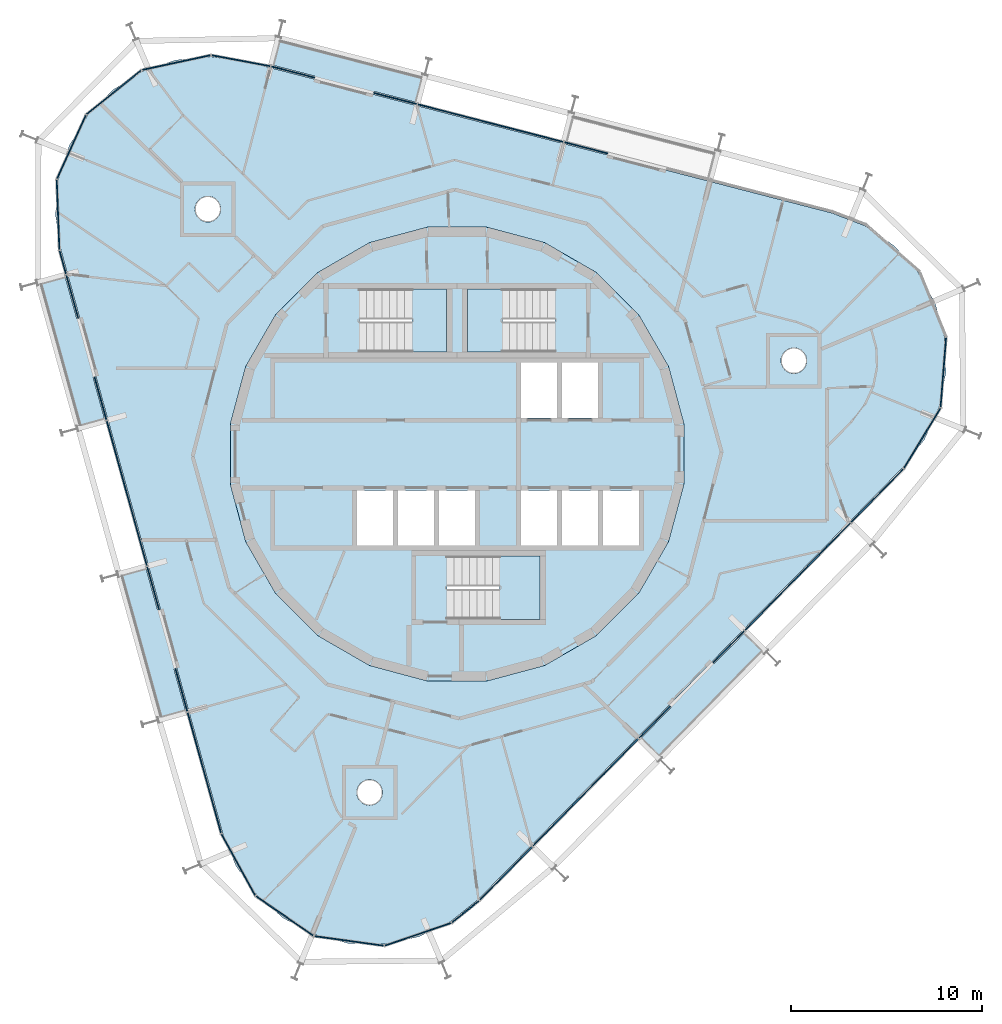
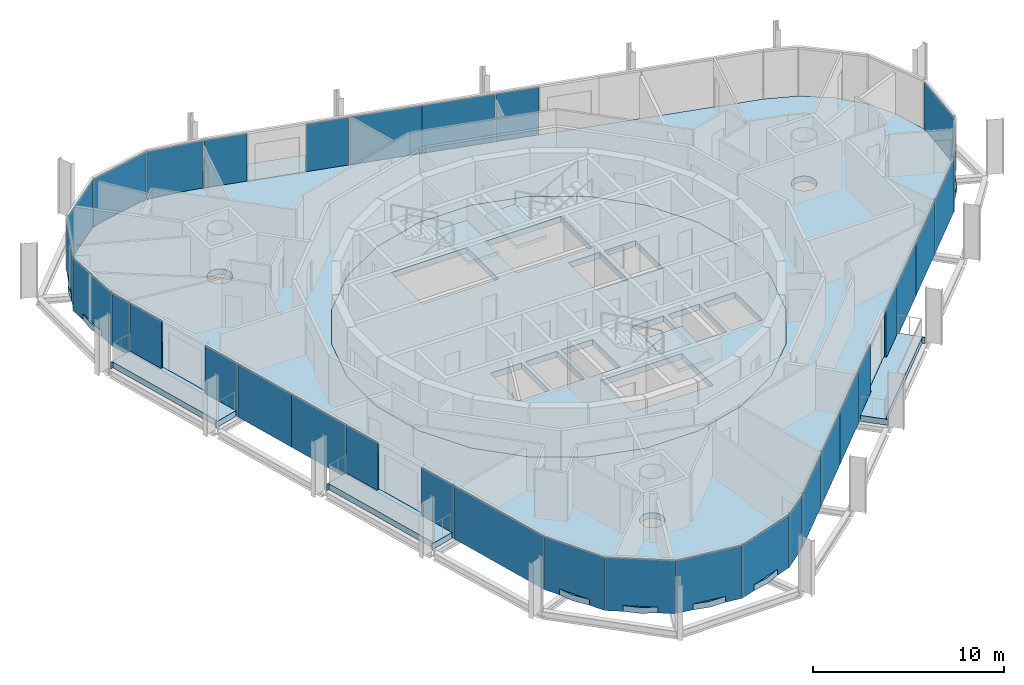
# One storey, part 8 of 15: 33 plates, 9 slabs, 9 elements without a shape of their own.
"""IFC4 building model written with IfcOpenShell, lengths in metres."""

from ifc_helpers import new_model, si_unit, direction, frame, origin, origin_2d, place, context, subcontext, project, spatial, polyline, rectangle, outline, extrude, material, layer, layer_set, type_object, element, aggregate, save


model = new_model("IFC4")

# Units and contexts
model_context = context("Model", 3, precision=1e-05, world=origin(), true_north=direction((0.0, 1.0)))
body_context = subcontext(model_context, "Body", "Model", "MODEL_VIEW")
ifc_project = project(units=[si_unit("LENGTHUNIT", "METRE"), si_unit("AREAUNIT", "SQUARE_METRE"), si_unit("VOLUMEUNIT", "CUBIC_METRE"), si_unit("PLANEANGLEUNIT", "RADIAN"), si_unit("MASSUNIT", "GRAM", prefix="KILO")], contexts=[model_context])

# Site, building, storey
site_placement = place(None, origin())
site = spatial("IfcSite", under=ifc_project, at=site_placement, CompositionType="ELEMENT")
building_placement = place(site_placement, origin())
building = spatial("IfcBuilding", under=site, at=building_placement, Name="Spindle Arch Residences", CompositionType="ELEMENT")
storey_placement = place(building_placement, frame((0.0, 0.0, 308.699951171875)))
storey = spatial("IfcBuildingStorey", under=building, at=storey_placement, Name="L79", CompositionType="ELEMENT", Elevation=308.699951171875)

# Slabs
ifc_material_1 = material(Name="Concrete C40/50", Category="concrete")
ifc_layer_1 = layer(ifc_material_1, 0.3798828125)
ifc_layer_set_1 = layer_set([ifc_layer_1], Name="Balcony slab 380")
slab_type_1 = type_object("IfcSlabType", Name="Balcony slab 380", PredefinedType="FLOOR", material=ifc_layer_set_1)
slab_1_placement = place(storey_placement, frame((0.0, 0.0, -0.3798828125)))
element("IfcSlab", 1, at=slab_1_placement, inside=storey, type_object=slab_type_1, Name="Balcony L79 bay 8", PredefinedType="FLOOR", context=body_context, shape_type="SweptSolid", body=[
    extrude(outline(polyline([(-1.763671875, 19.8896484375), (-1.83642578125, 19.908447265625), (-1.8740234375, 19.763427734375), (-9.265869140625, 21.675048828125), (-9.228271484375, 21.8203125), (-9.30078125, 21.839111328125), (-9.673828125, 20.396484375), (-7.454345703125, 19.822509765625), (-7.494384765625, 19.66748046875), (-4.396484375, 18.8662109375), (-4.3564453125, 19.021240234375), (-2.13671875, 18.447265625), (-1.763671875, 19.8896484375)])), origin(), (0.0, 0.0, 1.0), 0.3798828125),
])
slab_2_placement = place(storey_placement, frame((0.0, 0.0, -0.3798828125)))
element("IfcSlab", 2, at=slab_2_placement, inside=storey, type_object=slab_type_1, Name="Balcony L79 bay 12", PredefinedType="FLOOR", context=body_context, shape_type="SweptSolid", body=[
    extrude(outline(polyline([(-21.998046875, 8.918212890625), (-21.97802734375, 8.845947265625), (-21.83349609375, 8.88623046875), (-19.79296875, 1.52880859375), (-19.9375, 1.488525390625), (-19.91748046875, 1.416259765625), (-18.481689453125, 1.814453125), (-19.094482421875, 4.023681640625), (-18.940185546875, 4.06640625), (-19.79541015625, 7.150146484375), (-19.949462890625, 7.107421875), (-20.562255859375, 9.31640625), (-21.998046875, 8.918212890625)])), origin(), (0.0, 0.0, 1.0), 0.3798828125),
])
slab_3_placement = place(storey_placement, frame((0.0, 0.0, -0.3798828125)))
element("IfcSlab", 3, at=slab_3_placement, inside=storey, type_object=slab_type_1, Name="Balcony L79 bay 14", PredefinedType="FLOOR", context=body_context, shape_type="SweptSolid", body=[
    extrude(outline(polyline([(-17.7568359375, -6.374755859375), (-17.73681640625, -6.447021484375), (-17.59228515625, -6.406982421875), (-15.552001953125, -13.76416015625), (-15.696533203125, -13.804443359375), (-15.676513671875, -13.876708984375), (-14.240478515625, -13.478515625), (-14.853271484375, -11.269287109375), (-14.698974609375, -11.2265625), (-15.55419921875, -8.142822265625), (-15.70849609375, -8.185546875), (-16.321044921875, -5.9765625), (-17.7568359375, -6.374755859375)])), origin(), (0.0, 0.0, 1.0), 0.3798828125),
])
slab_4_placement = place(storey_placement, frame((0.0, 0.0, -0.3798828125)))
element("IfcSlab", 4, at=slab_4_placement, inside=storey, type_object=slab_type_1, Name="Balcony L79 bay 20", PredefinedType="FLOOR", context=body_context, shape_type="SweptSolid", body=[
    extrude(outline(polyline([(10.691162109375, -15.963623046875), (10.743896484375, -15.91015625), (10.63671875, -15.80517578125), (15.98828125, -10.359375), (16.09521484375, -10.464599609375), (16.14794921875, -10.410888671875), (15.085205078125, -9.36669921875), (13.478271484375, -11.001708984375), (13.364013671875, -10.8896484375), (11.121337890625, -13.172119140625), (11.2353515625, -13.2841796875), (9.62841796875, -14.91943359375), (10.691162109375, -15.963623046875)])), origin(), (0.0, 0.0, 1.0), 0.3798828125),
])
ifc_material_2 = material(Name="Concrete C50/60", Category="concrete")
ifc_layer_2 = layer(ifc_material_2, 0.3798828125)
ifc_layer_set_2 = layer_set([ifc_layer_2], Name="Core floor slab 380")
slab_type_2 = type_object("IfcSlabType", Name="Core floor slab 380", PredefinedType="FLOOR", material=ifc_layer_set_2)
slab_5_placement = place(storey_placement, frame((0.0, 0.0, -0.3798828125)))
element("IfcSlab", 5, at=slab_5_placement, inside=storey, type_object=slab_type_2, Name="Core floor L79", PredefinedType="FLOOR", context=body_context, shape_type="SweptSolid", body=[
    extrude(outline(polyline([(1.56640625, -11.897216796875), (4.59228515625, -11.086669921875), (7.30517578125, -9.520263671875), (9.520263671875, -7.30517578125), (11.086669921875, -4.59228515625), (11.897216796875, -1.56640625), (11.897216796875, 1.56640625), (11.086669921875, 4.59228515625), (9.520263671875, 7.30517578125), (7.30517578125, 9.520263671875), (4.59228515625, 11.086669921875), (1.56640625, 11.897216796875), (-1.56640625, 11.897216796875), (-4.59228515625, 11.086669921875), (-7.30517578125, 9.520263671875), (-9.520263671875, 7.30517578125), (-11.086669921875, 4.59228515625), (-11.897216796875, 1.56640625), (-11.897216796875, -1.56640625), (-11.086669921875, -4.59228515625), (-9.520263671875, -7.30517578125), (-7.30517578125, -9.520263671875), (-4.59228515625, -11.086669921875), (-1.56640625, -11.897216796875), (1.56640625, -11.897216796875)]), holes=[polyline([(3.35009765625, 1.89990234375), (5.25, 1.89990234375), (5.25, 4.800048828125), (3.35009765625, 4.800048828125), (3.35009765625, 1.89990234375)]), polyline([(5.5, 1.89990234375), (7.39990234375, 1.89990234375), (7.39990234375, 4.800048828125), (5.5, 4.800048828125), (5.5, 1.89990234375)]), polyline([(-5.25, -4.800048828125), (-3.35009765625, -4.800048828125), (-3.35009765625, -1.89990234375), (-5.25, -1.89990234375), (-5.25, -4.800048828125)]), polyline([(-3.10009765625, -4.800048828125), (-1.199951171875, -4.800048828125), (-1.199951171875, -1.89990234375), (-3.10009765625, -1.89990234375), (-3.10009765625, -4.800048828125)]), polyline([(-0.949951171875, -4.800048828125), (0.949951171875, -4.800048828125), (0.949951171875, -1.89990234375), (-0.949951171875, -1.89990234375), (-0.949951171875, -4.800048828125)]), polyline([(3.35009765625, -4.800048828125), (5.25, -4.800048828125), (5.25, -1.89990234375), (3.35009765625, -1.89990234375), (3.35009765625, -4.800048828125)]), polyline([(5.5, -4.800048828125), (7.39990234375, -4.800048828125), (7.39990234375, -1.89990234375), (5.5, -1.89990234375), (5.5, -4.800048828125)]), polyline([(7.64990234375, -4.800048828125), (9.550048828125, -4.800048828125), (9.550048828125, -1.89990234375), (7.64990234375, -1.89990234375), (7.64990234375, -4.800048828125)]), polyline([(5.1298828125, 8.669921875), (0.550048828125, 8.669921875), (0.550048828125, 5.35009765625), (5.1298828125, 5.35009765625), (5.1298828125, 8.669921875)]), polyline([(-5.1298828125, 5.35009765625), (-0.550048828125, 5.35009765625), (-0.550048828125, 8.669921875), (-5.1298828125, 8.669921875), (-5.1298828125, 5.35009765625)]), polyline([(-0.530029296875, -8.669921875), (4.35009765625, -8.669921875), (4.35009765625, -5.35009765625), (-0.530029296875, -5.35009765625), (-0.530029296875, -8.669921875)])]), origin(), (0.0, 0.0, 1.0), 0.3798828125),
])

# Stair, slab
ifc_material_3 = material(Name="Concrete C50/60", Category="concrete")
stair_type = type_object("IfcStairType", Name="Exit stair 16 risers", PredefinedType="HALF_TURN_STAIR", material=ifc_material_3)
stair_1_placement = place(storey_placement, origin())
stair_1 = element("IfcStair", 6, at=stair_1_placement, inside=storey, type_object=stair_type, Name="L79 Exit stair ST1", PredefinedType="HALF_TURN_STAIR")
ifc_material_4 = material(Name="Concrete C50/60", Category="concrete")
ifc_layer_3 = layer(ifc_material_4, 0.219970703125)
ifc_layer_set_3 = layer_set([ifc_layer_3], Name="Exit stair landing 220")
slab_type_3 = type_object("IfcSlabType", Name="Exit stair landing 220", PredefinedType="LANDING", material=ifc_layer_set_3)
slab_6_placement = place(storey_placement, frame((0.0, 0.0, 1.530029296875)))
slab_6 = element("IfcSlab", 7, at=slab_6_placement, type_object=slab_type_3, Name="ST1 landing 1", PredefinedType="LANDING", context=body_context, shape_type="SweptSolid", body=[
    extrude(outline(polyline([(2.3701171875, 8.669921875), (0.550048828125, 8.669921875), (0.550048828125, 5.35009765625), (2.3701171875, 5.35009765625), (2.3701171875, 8.669921875)])), origin(), (0.0, 0.0, 1.0), 0.219970703125),
])
aggregate(stair_1, [slab_6])

stair_2_placement = place(storey_placement, origin())
stair_2 = element("IfcStair", 8, at=stair_2_placement, inside=storey, type_object=stair_type, Name="L79 Exit stair ST2", PredefinedType="HALF_TURN_STAIR")
slab_7_placement = place(storey_placement, frame((0.0, 0.0, 1.530029296875)))
slab_7 = element("IfcSlab", 9, at=slab_7_placement, type_object=slab_type_3, Name="ST2 landing 1", PredefinedType="LANDING", context=body_context, shape_type="SweptSolid", body=[
    extrude(outline(polyline([(-2.3701171875, 5.35009765625), (-0.550048828125, 5.35009765625), (-0.550048828125, 8.669921875), (-2.3701171875, 8.669921875), (-2.3701171875, 5.35009765625)])), origin(), (0.0, 0.0, 1.0), 0.219970703125),
])
aggregate(stair_2, [slab_7])

stair_3_placement = place(storey_placement, origin())
stair_3 = element("IfcStair", 10, at=stair_3_placement, inside=storey, type_object=stair_type, Name="L79 Exit stair ST3", PredefinedType="HALF_TURN_STAIR")
slab_8_placement = place(storey_placement, frame((0.0, 0.0, 1.530029296875)))
slab_8 = element("IfcSlab", 11, at=slab_8_placement, type_object=slab_type_3, Name="ST3 landing 1", PredefinedType="LANDING", context=body_context, shape_type="SweptSolid", body=[
    extrude(outline(polyline([(2.22998046875, -8.669921875), (4.35009765625, -8.669921875), (4.35009765625, -5.35009765625), (2.22998046875, -5.35009765625), (2.22998046875, -8.669921875)])), origin(), (0.0, 0.0, 1.0), 0.219970703125),
])
aggregate(stair_3, [slab_8])

# Slab
ifc_material_5 = material(Name="Concrete C40/50", Category="concrete")
ifc_layer_4 = layer(ifc_material_5, 0.3798828125)
ifc_layer_set_4 = layer_set([ifc_layer_4], Name="Floor slab 380")
slab_type_4 = type_object("IfcSlabType", Name="Floor slab 380", PredefinedType="FLOOR", material=ifc_layer_set_4)
slab_9_placement = place(storey_placement, frame((0.0, 0.0, -0.3798828125)))
element("IfcSlab", 12, at=slab_9_placement, inside=storey, type_object=slab_type_4, Name="Floor slab L79", PredefinedType="FLOOR", context=body_context, shape_type="SweptSolid", body=[
    extrude(outline(polyline([(-0.330078125, -24.517333984375), (-2.006591796875, -25.317138671875), (-3.822509765625, -25.70849609375), (-5.6796875, -25.6708984375), (-7.477783203125, -25.205810546875), (-9.12060546875, -24.33837890625), (-10.518798828125, -23.11572265625), (-11.597412109375, -21.603515625), (-12.29833984375, -19.88330078125), (-20.782470703125, 10.709228515625), (-21.067626953125, 12.544677734375), (-20.921875, 14.396484375), (-20.35302734375, 16.164794921875), (-19.3916015625, 17.754150390625), (-18.08984375, 19.078857421875), (-16.517333984375, 20.06787109375), (-14.759521484375, 20.66748046875), (-12.910400390625, 20.845458984375), (-11.0703125, 20.59228515625), (19.665771484375, 12.6435546875), (21.397705078125, 11.972900390625), (22.9287109375, 10.920654296875), (24.175537109375, 9.5439453125), (25.0712890625, 7.916748046875), (25.567626953125, 6.126708984375), (25.637939453125, 4.2705078125), (25.2783203125, 2.4482421875), (24.5078125, 0.758056640625), (23.36865234375, -0.708984375), (12.24267578125, -12.03076171875), (1.11669921875, -23.352783203125), (-0.330078125, -24.517333984375)]), holes=[polyline([(7.30517578125, -9.520263671875), (9.520263671875, -7.30517578125), (11.086669921875, -4.59228515625), (11.897216796875, -1.56640625), (11.897216796875, 1.56640625), (11.086669921875, 4.59228515625), (9.520263671875, 7.30517578125), (7.30517578125, 9.520263671875), (4.59228515625, 11.086669921875), (1.56640625, 11.897216796875), (-1.56640625, 11.897216796875), (-4.59228515625, 11.086669921875), (-7.30517578125, 9.520263671875), (-9.520263671875, 7.30517578125), (-11.086669921875, 4.59228515625), (-11.897216796875, 1.56640625), (-11.897216796875, -1.56640625), (-11.086669921875, -4.59228515625), (-9.520263671875, -7.30517578125), (-7.30517578125, -9.520263671875), (-4.59228515625, -11.086669921875), (-1.56640625, -11.897216796875), (1.56640625, -11.897216796875), (4.59228515625, -11.086669921875), (7.30517578125, -9.520263671875)]), polyline([(-4.028076171875, -18.120361328125), (-3.9658203125, -18.003662109375), (-3.92724609375, -17.877197265625), (-3.914306640625, -17.745361328125), (-3.92724609375, -17.61376953125), (-3.9658203125, -17.487060546875), (-4.028076171875, -17.370361328125), (-4.112060546875, -17.26806640625), (-4.21435546875, -17.18408203125), (-4.3310546875, -17.121826171875), (-4.45751953125, -17.08349609375), (-4.58935546875, -17.0703125), (-4.720947265625, -17.08349609375), (-4.84765625, -17.121826171875), (-4.96435546875, -17.18408203125), (-5.066650390625, -17.26806640625), (-5.150390625, -17.370361328125), (-5.212890625, -17.487060546875), (-5.251220703125, -17.61376953125), (-5.264404296875, -17.745361328125), (-5.251220703125, -17.877197265625), (-5.212890625, -18.003662109375), (-5.150390625, -18.120361328125), (-5.066650390625, -18.22265625), (-4.96435546875, -18.306640625), (-4.84765625, -18.368896484375), (-4.720947265625, -18.407470703125), (-4.58935546875, -18.42041015625), (-4.45751953125, -18.407470703125), (-4.3310546875, -18.368896484375), (-4.21435546875, -18.306640625), (-4.112060546875, -18.22265625), (-4.028076171875, -18.120361328125)]), polyline([(-12.595947265625, 12.369873046875), (-12.51220703125, 12.47216796875), (-12.44970703125, 12.5888671875), (-12.411376953125, 12.71533203125), (-12.398193359375, 12.84716796875), (-12.411376953125, 12.978759765625), (-12.44970703125, 13.10546875), (-12.51220703125, 13.22216796875), (-12.595947265625, 13.324462890625), (-12.6982421875, 13.408203125), (-12.81494140625, 13.470703125), (-12.941650390625, 13.509033203125), (-13.0732421875, 13.522216796875), (-13.205078125, 13.509033203125), (-13.33154296875, 13.470703125), (-13.4482421875, 13.408203125), (-13.550537109375, 13.324462890625), (-13.634521484375, 13.22216796875), (-13.697021484375, 13.10546875), (-13.7353515625, 12.978759765625), (-13.748291015625, 12.84716796875), (-13.7353515625, 12.71533203125), (-13.697021484375, 12.5888671875), (-13.634521484375, 12.47216796875), (-13.550537109375, 12.369873046875), (-13.4482421875, 12.285888671875), (-13.33154296875, 12.223388671875), (-13.205078125, 12.18505859375), (-13.0732421875, 12.172119140625), (-12.941650390625, 12.18505859375), (-12.81494140625, 12.223388671875), (-12.6982421875, 12.285888671875), (-12.595947265625, 12.369873046875)]), polyline([(18.139892578125, 4.4208984375), (18.223876953125, 4.523193359375), (18.2861328125, 4.639892578125), (18.32470703125, 4.7666015625), (18.337646484375, 4.898193359375), (18.32470703125, 5.030029296875), (18.2861328125, 5.156494140625), (18.223876953125, 5.273193359375), (18.139892578125, 5.37548828125), (18.03759765625, 5.45947265625), (17.9208984375, 5.52197265625), (17.794189453125, 5.560302734375), (17.66259765625, 5.5732421875), (17.531005859375, 5.560302734375), (17.404296875, 5.52197265625), (17.28759765625, 5.45947265625), (17.185302734375, 5.37548828125), (17.101318359375, 5.273193359375), (17.0390625, 5.156494140625), (17.00048828125, 5.030029296875), (16.987548828125, 4.898193359375), (17.00048828125, 4.7666015625), (17.0390625, 4.639892578125), (17.101318359375, 4.523193359375), (17.185302734375, 4.4208984375), (17.28759765625, 4.337158203125), (17.404296875, 4.274658203125), (17.531005859375, 4.236328125), (17.66259765625, 4.223388671875), (17.794189453125, 4.236328125), (17.9208984375, 4.274658203125), (18.03759765625, 4.337158203125), (18.139892578125, 4.4208984375)])]), origin(), (0.0, 0.0, 1.0), 0.3798828125),
])

# Curtain wall, plates
ifc_material_6 = material(Name="Aluminium bronze unitised frame with tinted glass", Category="aluminium")
ifc_layer_5 = layer(ifc_material_6, 0.159912109375)
ifc_layer_set_5 = layer_set([ifc_layer_5], Name="CW-D corner wall on the fillet arcs")
curtain_wall_type_1 = type_object("IfcCurtainWallType", Name="CW-D corner wall on the fillet arcs", PredefinedType="NOTDEFINED", material=ifc_layer_set_5)
curtain_wall_1_placement = place(storey_placement, origin())
curtain_wall_1 = element("IfcCurtainWall", 13, at=curtain_wall_1_placement, inside=storey, type_object=curtain_wall_type_1, Name="CW-D L79 run 1", PredefinedType="NOTDEFINED")
ifc_material_7 = material(Name="Tinted double glazing over aluminium faced non-combustible spandrel zone (K0)", Category="aluminium")
ifc_layer_6 = layer(ifc_material_7, 0.06005859375)
ifc_layer_set_6 = layer_set([ifc_layer_6], Name="Unitised glass panel with E 60 spandrel zone")
plate_type = type_object("IfcPlateType", Name="Unitised glass panel with E 60 spandrel zone", PredefinedType="CURTAIN_PANEL", material=ifc_layer_set_6)
plate_1_placement = place(storey_placement, frame((22.033935546875, -2.18115234375, -0.3798828125), z_axis=(0.0, 0.0, 1.0), x_axis=(0.7009092643, 0.713250449154, 0.0)))
plate_1 = element("IfcPlate", 14, at=plate_1_placement, type_object=plate_type, Name="CW-D unit 00", PredefinedType="CURTAIN_PANEL", context=body_context, shape_type="SweptSolid", body=[
    extrude(rectangle(XDim=3.910888671875, YDim=0.06005859375, at=origin_2d()), origin(), (0.0, 0.0, 1.0), 3.3798828125),
])
plate_2_placement = place(storey_placement, frame((24.39013671875, 0.829345703125, -0.3798828125), z_axis=(0.0, 0.0, 1.0), x_axis=(0.517529288252, 0.855665492936, 0.0)))
plate_2 = element("IfcPlate", 15, at=plate_2_placement, type_object=plate_type, Name="CW-D unit 01", PredefinedType="CURTAIN_PANEL", context=body_context, shape_type="SweptSolid", body=[
    extrude(rectangle(XDim=3.666748046875, YDim=0.06005859375, at=origin_2d()), origin(), (0.0, 0.0, 1.0), 3.3798828125),
])
plate_3_placement = place(storey_placement, frame((25.50048828125, 4.281494140625, -0.3798828125), z_axis=(0.0, 0.0, 1.0), x_axis=(0.078459091935, 0.996917334032, 0.0)))
plate_3 = element("IfcPlate", 16, at=plate_3_placement, type_object=plate_type, Name="CW-D unit 02", PredefinedType="CURTAIN_PANEL", context=body_context, shape_type="SweptSolid", body=[
    extrude(rectangle(XDim=3.666748046875, YDim=0.06005859375, at=origin_2d()), origin(), (0.0, 0.0, 1.0), 3.3798828125),
])
aggregate(curtain_wall_1, [plate_1, plate_2, plate_3])

ifc_material_8 = material(Name="Aluminium bronze unitised frame with tinted glass", Category="aluminium")
ifc_layer_7 = layer(ifc_material_8, 0.159912109375)
ifc_layer_set_7 = layer_set([ifc_layer_7], Name="CW-C typical residential unitised wall")
curtain_wall_type_2 = type_object("IfcCurtainWallType", Name="CW-C typical residential unitised wall", PredefinedType="NOTDEFINED", material=ifc_layer_set_7)
curtain_wall_2_placement = place(storey_placement, origin())
curtain_wall_2 = element("IfcCurtainWall", 17, at=curtain_wall_2_placement, inside=storey, type_object=curtain_wall_type_2, Name="CW-C L79 run 2", PredefinedType="NOTDEFINED")
plate_4_placement = place(storey_placement, frame((6.7587890625, 16.06396484375, -0.3798828125), z_axis=(0.0, 0.0, 1.0), x_axis=(-0.968147640378, 0.250380004054, 0.0)))
plate_4 = element("IfcPlate", 18, at=plate_4_placement, type_object=plate_type, Name="CW-C unit 05R", PredefinedType="CURTAIN_PANEL", context=body_context, shape_type="SweptSolid", body=[
    extrude(rectangle(XDim=2.337646484375, YDim=0.06005859375, at=origin_2d()), origin(), (0.0, 0.0, 1.0), 3.3798828125),
])
plate_5_placement = place(storey_placement, frame((3.6630859375, 16.86474609375, -0.3798828125), z_axis=(0.0, 0.0, 1.0), x_axis=(-0.968147640378, 0.250380004054, 0.0)))
plate_5 = element("IfcPlate", 19, at=plate_5_placement, type_object=plate_type, Name="CW-C unit 06A", PredefinedType="CURTAIN_PANEL", context=body_context, shape_type="SweptSolid", body=[
    extrude(rectangle(XDim=3.9375, YDim=0.06005859375, at=origin_2d()), origin(), (0.0, 0.0, 1.0), 3.3798828125),
])
plate_6_placement = place(storey_placement, frame((-0.149169921875, 17.8505859375, -0.3798828125), z_axis=(0.0, 0.0, 1.0), x_axis=(-0.968147640378, 0.250380004054, 0.0)))
plate_6 = element("IfcPlate", 20, at=plate_6_placement, type_object=plate_type, Name="CW-C unit 06B", PredefinedType="CURTAIN_PANEL", context=body_context, shape_type="SweptSolid", body=[
    extrude(rectangle(XDim=3.9375, YDim=0.06005859375, at=origin_2d()), origin(), (0.0, 0.0, 1.0), 3.3798828125),
])
plate_7_placement = place(storey_placement, frame((-3.244873046875, 18.651123046875, -0.3798828125), z_axis=(0.0, 0.0, 1.0), x_axis=(-0.968147640378, 0.250380004054, 0.0)))
plate_7 = element("IfcPlate", 21, at=plate_7_placement, type_object=plate_type, Name="CW-C unit 07L", PredefinedType="CURTAIN_PANEL", context=body_context, shape_type="SweptSolid", body=[
    extrude(rectangle(XDim=2.337646484375, YDim=0.06005859375, at=origin_2d()), origin(), (0.0, 0.0, 1.0), 3.3798828125),
])
plate_8_placement = place(storey_placement, frame((-8.60595703125, 20.03759765625, -0.3798828125), z_axis=(0.0, 0.0, 1.0), x_axis=(-0.968147640378, 0.250380004054, 0.0)))
plate_8 = element("IfcPlate", 22, at=plate_8_placement, type_object=plate_type, Name="CW-C unit 07R", PredefinedType="CURTAIN_PANEL", context=body_context, shape_type="SweptSolid", body=[
    extrude(rectangle(XDim=2.337646484375, YDim=0.06005859375, at=origin_2d()), origin(), (0.0, 0.0, 1.0), 3.3798828125),
])
aggregate(curtain_wall_2, [plate_4, plate_5, plate_6, plate_7, plate_8])

curtain_wall_3_placement = place(storey_placement, origin())
curtain_wall_3 = element("IfcCurtainWall", 23, at=curtain_wall_3_placement, inside=storey, type_object=curtain_wall_type_1, Name="CW-D L79 run 3", PredefinedType="NOTDEFINED")
plate_9_placement = place(storey_placement, frame((-11.337646484375, 20.631591796875, -0.3798828125), z_axis=(0.0, 0.0, 1.0), x_axis=(-0.98295670176, 0.183837217301, 0.0)))
plate_9 = element("IfcPlate", 24, at=plate_9_placement, type_object=plate_type, Name="CW-D unit 00", PredefinedType="CURTAIN_PANEL", context=body_context, shape_type="SweptSolid", body=[
    extrude(rectangle(XDim=3.13671875, YDim=0.06005859375, at=origin_2d()), origin(), (0.0, 0.0, 1.0), 3.3798828125),
])
plate_10_placement = place(storey_placement, frame((-14.73046875, 20.53271484375, -0.3798828125), z_axis=(0.0, 0.0, 1.0), x_axis=(-0.977538671364, -0.210756129184, 0.0)))
plate_10 = element("IfcPlate", 25, at=plate_10_placement, type_object=plate_type, Name="CW-D unit 01", PredefinedType="CURTAIN_PANEL", context=body_context, shape_type="SweptSolid", body=[
    extrude(rectangle(XDim=3.666748046875, YDim=0.06005859375, at=origin_2d()), origin(), (0.0, 0.0, 1.0), 3.3798828125),
])
plate_11_placement = place(storey_placement, frame((-18.00341796875, 18.9716796875, -0.3798828125), z_axis=(0.0, 0.0, 1.0), x_axis=(-0.778973288411, -0.627057107401, 0.0)))
plate_11 = element("IfcPlate", 26, at=plate_11_placement, type_object=plate_type, Name="CW-D unit 02", PredefinedType="CURTAIN_PANEL", context=body_context, shape_type="SweptSolid", body=[
    extrude(rectangle(XDim=3.666748046875, YDim=0.06005859375, at=origin_2d()), origin(), (0.0, 0.0, 1.0), 3.3798828125),
])
plate_12_placement = place(storey_placement, frame((-20.2275390625, 16.107421875, -0.3798828125), z_axis=(0.0, 0.0, 1.0), x_axis=(-0.414693245896, -0.9099612694, 0.0)))
plate_12 = element("IfcPlate", 27, at=plate_12_placement, type_object=plate_type, Name="CW-D unit 03", PredefinedType="CURTAIN_PANEL", context=body_context, shape_type="SweptSolid", body=[
    extrude(rectangle(XDim=3.666748046875, YDim=0.06005859375, at=origin_2d()), origin(), (0.0, 0.0, 1.0), 3.3798828125),
])
plate_13_placement = place(storey_placement, frame((-20.929931640625, 12.5498046875, -0.3798828125), z_axis=(0.0, 0.0, 1.0), x_axis=(0.037806455536, -0.999285080405, 0.0)))
plate_13 = element("IfcPlate", 28, at=plate_13_placement, type_object=plate_type, Name="CW-D unit 04", PredefinedType="CURTAIN_PANEL", context=body_context, shape_type="SweptSolid", body=[
    extrude(rectangle(XDim=3.666748046875, YDim=0.06005859375, at=origin_2d()), origin(), (0.0, 0.0, 1.0), 3.3798828125),
])
plate_14_placement = place(storey_placement, frame((-20.682373046875, 10.049072265625, -0.3798828125), z_axis=(0.0, 0.0, 1.0), x_axis=(0.267238376078, -0.963630453209, 0.0)))
plate_14 = element("IfcPlate", 29, at=plate_14_placement, type_object=plate_type, Name="CW-D unit 05", PredefinedType="CURTAIN_PANEL", context=body_context, shape_type="SweptSolid", body=[
    extrude(rectangle(XDim=1.265869140625, YDim=0.06005859375, at=origin_2d()), origin(), (0.0, 0.0, 1.0), 3.3798828125),
])
aggregate(curtain_wall_3, [plate_9, plate_10, plate_11, plate_12, plate_13, plate_14])

curtain_wall_4_placement = place(storey_placement, origin())
curtain_wall_4 = element("IfcCurtainWall", 30, at=curtain_wall_4_placement, inside=storey, type_object=curtain_wall_type_2, Name="CW-C L79 run 4", PredefinedType="NOTDEFINED")
plate_15_placement = place(storey_placement, frame((-20.184814453125, 8.2548828125, -0.3798828125), z_axis=(0.0, 0.0, 1.0), x_axis=(0.267238376078, -0.963630453209, 0.0)))
plate_15 = element("IfcPlate", 31, at=plate_15_placement, type_object=plate_type, Name="CW-C unit 11L", PredefinedType="CURTAIN_PANEL", context=body_context, shape_type="SweptSolid", body=[
    extrude(rectangle(XDim=2.337646484375, YDim=0.06005859375, at=origin_2d()), origin(), (0.0, 0.0, 1.0), 3.3798828125),
])
plate_16_placement = place(storey_placement, frame((-18.704833984375, 2.9189453125, -0.3798828125), z_axis=(0.0, 0.0, 1.0), x_axis=(0.267238376078, -0.963630453209, 0.0)))
plate_16 = element("IfcPlate", 32, at=plate_16_placement, type_object=plate_type, Name="CW-C unit 11R", PredefinedType="CURTAIN_PANEL", context=body_context, shape_type="SweptSolid", body=[
    extrude(rectangle(XDim=2.337646484375, YDim=0.06005859375, at=origin_2d()), origin(), (0.0, 0.0, 1.0), 3.3798828125),
])
plate_17_placement = place(storey_placement, frame((-17.850341796875, -0.162353515625, -0.3798828125), z_axis=(0.0, 0.0, 1.0), x_axis=(0.267238376078, -0.963630453209, 0.0)))
plate_17 = element("IfcPlate", 33, at=plate_17_placement, type_object=plate_type, Name="CW-C unit 12A", PredefinedType="CURTAIN_PANEL", context=body_context, shape_type="SweptSolid", body=[
    extrude(rectangle(XDim=3.9375, YDim=0.06005859375, at=origin_2d()), origin(), (0.0, 0.0, 1.0), 3.3798828125),
])
plate_18_placement = place(storey_placement, frame((-16.798095703125, -3.956787109375, -0.3798828125), z_axis=(0.0, 0.0, 1.0), x_axis=(0.267238376078, -0.963630453209, 0.0)))
plate_18 = element("IfcPlate", 34, at=plate_18_placement, type_object=plate_type, Name="CW-C unit 12B", PredefinedType="CURTAIN_PANEL", context=body_context, shape_type="SweptSolid", body=[
    extrude(rectangle(XDim=3.9375, YDim=0.06005859375, at=origin_2d()), origin(), (0.0, 0.0, 1.0), 3.3798828125),
])
plate_19_placement = place(storey_placement, frame((-15.943603515625, -7.0380859375, -0.3798828125), z_axis=(0.0, 0.0, 1.0), x_axis=(0.267238376078, -0.963630453209, 0.0)))
plate_19 = element("IfcPlate", 35, at=plate_19_placement, type_object=plate_type, Name="CW-C unit 13L", PredefinedType="CURTAIN_PANEL", context=body_context, shape_type="SweptSolid", body=[
    extrude(rectangle(XDim=2.337646484375, YDim=0.06005859375, at=origin_2d()), origin(), (0.0, 0.0, 1.0), 3.3798828125),
])
plate_20_placement = place(storey_placement, frame((-14.4638671875, -12.374267578125, -0.3798828125), z_axis=(0.0, 0.0, 1.0), x_axis=(0.267238376078, -0.963630453209, 0.0)))
plate_20 = element("IfcPlate", 36, at=plate_20_placement, type_object=plate_type, Name="CW-C unit 13R", PredefinedType="CURTAIN_PANEL", context=body_context, shape_type="SweptSolid", body=[
    extrude(rectangle(XDim=2.337646484375, YDim=0.06005859375, at=origin_2d()), origin(), (0.0, 0.0, 1.0), 3.3798828125),
])
aggregate(curtain_wall_4, [plate_15, plate_16, plate_17, plate_18, plate_19, plate_20])

curtain_wall_5_placement = place(storey_placement, origin())
curtain_wall_5 = element("IfcCurtainWall", 37, at=curtain_wall_5_placement, inside=storey, type_object=curtain_wall_type_1, Name="CW-D L79 run 5", PredefinedType="NOTDEFINED")
plate_21_placement = place(storey_placement, frame((-13.259521484375, -16.717041015625, -0.3798828125), z_axis=(0.0, 0.0, 1.0), x_axis=(0.267238376078, -0.963630453209, 0.0)))
plate_21 = element("IfcPlate", 38, at=plate_21_placement, type_object=plate_type, Name="CW-D unit 00", PredefinedType="CURTAIN_PANEL", context=body_context, shape_type="SweptSolid", body=[
    extrude(rectangle(XDim=6.555908203125, YDim=0.06005859375, at=origin_2d()), origin(), (0.0, 0.0, 1.0), 3.3798828125),
])
plate_22_placement = place(storey_placement, frame((-11.476806640625, -21.537109375, -0.3798828125), z_axis=(0.0, 0.0, 1.0), x_axis=(0.482263404731, -0.876026260142, 0.0)))
plate_22 = element("IfcPlate", 39, at=plate_22_placement, type_object=plate_type, Name="CW-D unit 01", PredefinedType="CURTAIN_PANEL", context=body_context, shape_type="SweptSolid", body=[
    extrude(rectangle(XDim=3.666748046875, YDim=0.06005859375, at=origin_2d()), origin(), (0.0, 0.0, 1.0), 3.3798828125),
])
plate_23_placement = place(storey_placement, frame((-9.04248046875, -24.224853515625, -0.3798828125), z_axis=(0.0, 0.0, 1.0), x_axis=(0.824126188573, -0.566406236997, 0.0)))
plate_23 = element("IfcPlate", 40, at=plate_23_placement, type_object=plate_type, Name="CW-D unit 02", PredefinedType="CURTAIN_PANEL", context=body_context, shape_type="SweptSolid", body=[
    extrude(rectangle(XDim=3.666748046875, YDim=0.06005859375, at=origin_2d()), origin(), (0.0, 0.0, 1.0), 3.3798828125),
])
plate_24_placement = place(storey_placement, frame((-5.660888671875, -25.5341796875, -0.3798828125), z_axis=(0.0, 0.0, 1.0), x_axis=(0.99066871764, -0.136291936259, 0.0)))
plate_24 = element("IfcPlate", 41, at=plate_24_placement, type_object=plate_type, Name="CW-D unit 03", PredefinedType="CURTAIN_PANEL", context=body_context, shape_type="SweptSolid", body=[
    extrude(rectangle(XDim=3.666748046875, YDim=0.06005859375, at=origin_2d()), origin(), (0.0, 0.0, 1.0), 3.3798828125),
])
plate_25_placement = place(storey_placement, frame((-2.05126953125, -25.186767578125, -0.3798828125), z_axis=(0.0, 0.0, 1.0), x_axis=(0.946461612616, 0.322816381002, 0.0)))
plate_25 = element("IfcPlate", 42, at=plate_25_placement, type_object=plate_type, Name="CW-D unit 04", PredefinedType="CURTAIN_PANEL", context=body_context, shape_type="SweptSolid", body=[
    extrude(rectangle(XDim=3.666748046875, YDim=0.06005859375, at=origin_2d()), origin(), (0.0, 0.0, 1.0), 3.3798828125),
])
plate_26_placement = place(storey_placement, frame((0.443115234375, -23.9970703125, -0.3798828125), z_axis=(0.0, 0.0, 1.0), x_axis=(0.778973292636, 0.627057102153, 0.0)))
plate_26 = element("IfcPlate", 43, at=plate_26_placement, type_object=plate_type, Name="CW-D unit 05", PredefinedType="CURTAIN_PANEL", context=body_context, shape_type="SweptSolid", body=[
    extrude(rectangle(XDim=1.816162109375, YDim=0.06005859375, at=origin_2d()), origin(), (0.0, 0.0, 1.0), 3.3798828125),
])
plate_27_placement = place(storey_placement, frame((2.5654296875, -21.99267578125, -0.3798828125), z_axis=(0.0, 0.0, 1.0), x_axis=(0.7009092643, 0.713250449154, 0.0)))
plate_27 = element("IfcPlate", 44, at=plate_27_placement, type_object=plate_type, Name="CW-D unit 06", PredefinedType="CURTAIN_PANEL", context=body_context, shape_type="SweptSolid", body=[
    extrude(rectangle(XDim=3.910888671875, YDim=0.06005859375, at=origin_2d()), origin(), (0.0, 0.0, 1.0), 3.3798828125),
])
aggregate(curtain_wall_5, [plate_21, plate_22, plate_23, plate_24, plate_25, plate_26, plate_27])

curtain_wall_6_placement = place(storey_placement, origin())
curtain_wall_6 = element("IfcCurtainWall", 45, at=curtain_wall_6_placement, inside=storey, type_object=curtain_wall_type_2, Name="CW-C L79 run 6", PredefinedType="NOTDEFINED")
plate_28_placement = place(storey_placement, frame((5.35791015625, -19.15087890625, -0.3798828125), z_axis=(0.0, 0.0, 1.0), x_axis=(0.7009092643, 0.713250449154, 0.0)))
plate_28 = element("IfcPlate", 46, at=plate_28_placement, type_object=plate_type, Name="CW-C unit 18A", PredefinedType="CURTAIN_PANEL", context=body_context, shape_type="SweptSolid", body=[
    extrude(rectangle(XDim=3.9375, YDim=0.06005859375, at=origin_2d()), origin(), (0.0, 0.0, 1.0), 3.3798828125),
])
plate_29_placement = place(storey_placement, frame((8.117919921875, -16.34228515625, -0.3798828125), z_axis=(0.0, 0.0, 1.0), x_axis=(0.7009092643, 0.713250449154, 0.0)))
plate_29 = element("IfcPlate", 47, at=plate_29_placement, type_object=plate_type, Name="CW-C unit 18B", PredefinedType="CURTAIN_PANEL", context=body_context, shape_type="SweptSolid", body=[
    extrude(rectangle(XDim=3.9375, YDim=0.06005859375, at=origin_2d()), origin(), (0.0, 0.0, 1.0), 3.3798828125),
])
plate_30_placement = place(storey_placement, frame((10.359130859375, -14.061767578125, -0.3798828125), z_axis=(0.0, 0.0, 1.0), x_axis=(0.7009092643, 0.713250449154, 0.0)))
plate_30 = element("IfcPlate", 48, at=plate_30_placement, type_object=plate_type, Name="CW-C unit 19L", PredefinedType="CURTAIN_PANEL", context=body_context, shape_type="SweptSolid", body=[
    extrude(rectangle(XDim=2.337646484375, YDim=0.06005859375, at=origin_2d()), origin(), (0.0, 0.0, 1.0), 3.3798828125),
])
plate_31_placement = place(storey_placement, frame((14.240478515625, -10.112060546875, -0.3798828125), z_axis=(0.0, 0.0, 1.0), x_axis=(0.7009092643, 0.713250449154, 0.0)))
plate_31 = element("IfcPlate", 49, at=plate_31_placement, type_object=plate_type, Name="CW-C unit 19R", PredefinedType="CURTAIN_PANEL", context=body_context, shape_type="SweptSolid", body=[
    extrude(rectangle(XDim=2.337646484375, YDim=0.06005859375, at=origin_2d()), origin(), (0.0, 0.0, 1.0), 3.3798828125),
])
plate_32_placement = place(storey_placement, frame((16.481689453125, -7.83154296875, -0.3798828125), z_axis=(0.0, 0.0, 1.0), x_axis=(0.7009092643, 0.713250449154, 0.0)))
plate_32 = element("IfcPlate", 50, at=plate_32_placement, type_object=plate_type, Name="CW-C unit 00A", PredefinedType="CURTAIN_PANEL", context=body_context, shape_type="SweptSolid", body=[
    extrude(rectangle(XDim=3.9375, YDim=0.06005859375, at=origin_2d()), origin(), (0.0, 0.0, 1.0), 3.3798828125),
])
plate_33_placement = place(storey_placement, frame((19.241455078125, -5.02294921875, -0.3798828125), z_axis=(0.0, 0.0, 1.0), x_axis=(0.7009092643, 0.713250449154, 0.0)))
plate_33 = element("IfcPlate", 51, at=plate_33_placement, type_object=plate_type, Name="CW-C unit 00B", PredefinedType="CURTAIN_PANEL", context=body_context, shape_type="SweptSolid", body=[
    extrude(rectangle(XDim=3.9375, YDim=0.06005859375, at=origin_2d()), origin(), (0.0, 0.0, 1.0), 3.3798828125),
])
aggregate(curtain_wall_6, [plate_28, plate_29, plate_30, plate_31, plate_32, plate_33])

save(model, "model.ifc")
